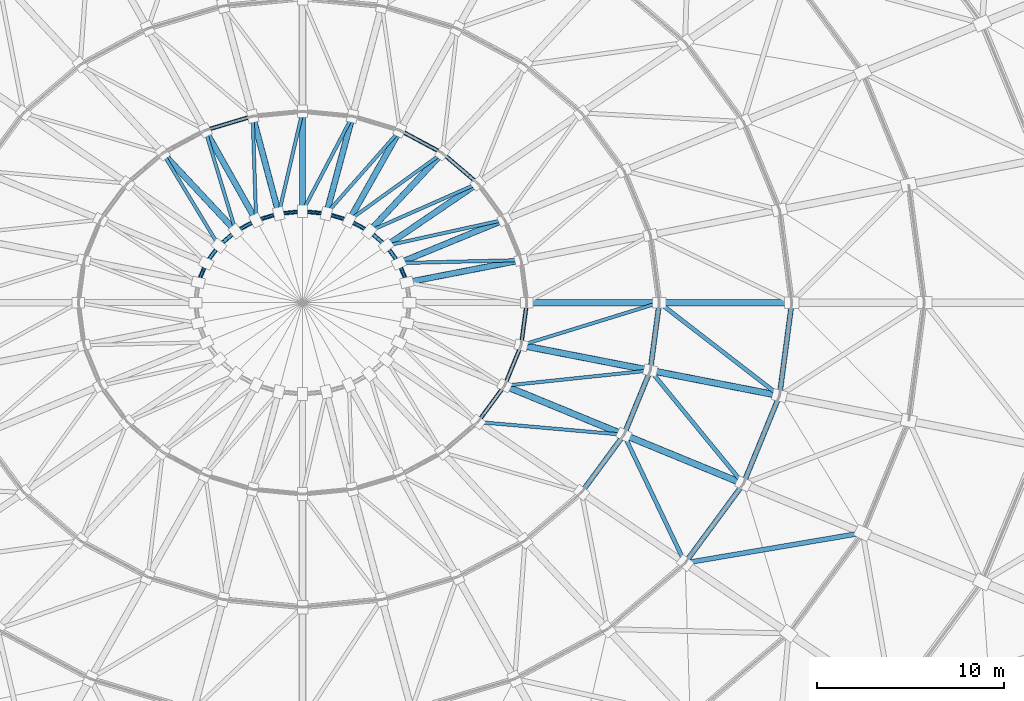
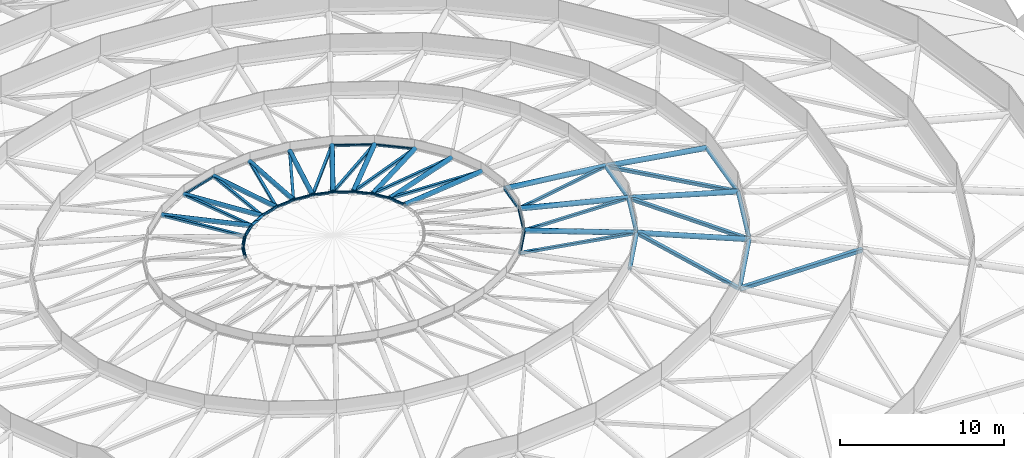
# One storey, part 11 of 27: 57 members.
"""IFC4 building model written with IfcOpenShell, lengths in metres."""

from ifc_helpers import new_model, si_unit, direction, frame, origin, origin_2d, place, context, subcontext, project, spatial, hollow_rectangle, hollow_circle, extrude, material, material_profile, profile_set, type_object, element, save


model = new_model("IFC4")

# Units and contexts
model_context = context("Model", 3, precision=1e-05, world=origin(), true_north=direction((0.0, 1.0)))
body_context = subcontext(model_context, "Body", "Model", "MODEL_VIEW")
ifc_project = project(units=[si_unit("LENGTHUNIT", "METRE"), si_unit("AREAUNIT", "SQUARE_METRE"), si_unit("VOLUMEUNIT", "CUBIC_METRE"), si_unit("PLANEANGLEUNIT", "RADIAN"), si_unit("MASSUNIT", "GRAM", prefix="KILO")], contexts=[model_context])

# Site, building, storey
site_placement = place(None, origin())
site = spatial("IfcSite", under=ifc_project, at=site_placement, CompositionType="ELEMENT")
building_placement = place(site_placement, origin())
building = spatial("IfcBuilding", under=site, at=building_placement, Name="Cuetzalor Civic Arena", CompositionType="ELEMENT")
storey_placement = place(building_placement, frame((0.0, 0.0, 31.800048828125)))
storey = spatial("IfcBuildingStorey", under=building, at=storey_placement, Name="Roof", CompositionType="ELEMENT", Elevation=31.800048828125)

# Members
ifc_material_1 = material(Name="Steel S355J2H", Category="steel")
ifc_material_profile_1 = material_profile(ifc_material_1, hollow_circle(Radius=0.136474609375, WallThickness=0.010009765625, at=origin_2d()), Name="CHS 273x10")
ifc_profile_set_1 = profile_set([ifc_material_profile_1], Name="Steel S355J2H")
member_type_1 = type_object("IfcMemberType", Name="DomeAnnularChord_CHS273", PredefinedType="CHORD", material=ifc_profile_set_1)
member_1_placement = place(storey_placement, frame((20.47265625, -13.9296875, 7.077392578125), z_axis=(0.592932877776, 0.805251887581, 0.0), x_axis=(-0.805251887581, 0.592932877776, 0.0)))
element("IfcMember", 1, at=member_1_placement, inside=storey, type_object=member_type_1, Name="Dome Roof Truss Annular Ring Chord R4-S26", PredefinedType="CHORD", context=body_context, shape_type="SweptSolid", body=[
    extrude(hollow_circle(Radius=0.136474609375, WallThickness=0.010009765625, at=origin_2d()), origin(), (0.0, 0.0, 1.0), 5.25732421875),
])
member_2_placement = place(storey_placement, frame((23.591796875, -9.69287109375, 7.077392578125), z_axis=(0.379357788908, 0.925250057009, 0.0), x_axis=(-0.925250057009, 0.379357788908, 0.0)))
element("IfcMember", 2, at=member_2_placement, inside=storey, type_object=member_type_1, Name="Dome Roof Truss Annular Ring Chord R4-S27", PredefinedType="CHORD", context=body_context, shape_type="SweptSolid", body=[
    extrude(hollow_circle(Radius=0.136474609375, WallThickness=0.010009765625, at=origin_2d()), origin(), (0.0, 0.0, 1.0), 5.100341796875),
])
member_3_placement = place(storey_placement, frame((25.52783203125, -4.969970703125, 7.077392578125), z_axis=(0.130861572844, 0.991400649966, 0.0), x_axis=(-0.991400649966, 0.130861572844, 0.0)))
element("IfcMember", 3, at=member_3_placement, inside=storey, type_object=member_type_1, Name="Dome Roof Truss Annular Ring Chord R4-S28", PredefinedType="CHORD", context=body_context, shape_type="SweptSolid", body=[
    extrude(hollow_circle(Radius=0.136474609375, WallThickness=0.010009765625, at=origin_2d()), origin(), (0.0, 0.0, 1.0), 5.01123046875),
])
member_4_placement = place(storey_placement, frame((14.92822265625, -10.156494140625, 8.21044921875), z_axis=(0.592953433432, 0.805236751385, 0.0), x_axis=(-0.805236751385, 0.592953433432, 0.0)))
element("IfcMember", 4, at=member_4_placement, inside=storey, type_object=member_type_1, Name="Dome Roof Truss Annular Ring Chord R5-S26", PredefinedType="CHORD", context=body_context, shape_type="SweptSolid", body=[
    extrude(hollow_circle(Radius=0.136474609375, WallThickness=0.010009765625, at=origin_2d()), origin(), (0.0, 0.0, 1.0), 3.83203125),
])
member_5_placement = place(storey_placement, frame((17.202392578125, -7.067138671875, 8.21044921875), z_axis=(0.379415117479, 0.925226549894, 0.0), x_axis=(-0.925226549894, 0.379415117479, 0.0)))
element("IfcMember", 5, at=member_5_placement, inside=storey, type_object=member_type_1, Name="Dome Roof Truss Annular Ring Chord R5-S27", PredefinedType="CHORD", context=body_context, shape_type="SweptSolid", body=[
    extrude(hollow_circle(Radius=0.136474609375, WallThickness=0.010009765625, at=origin_2d()), origin(), (0.0, 0.0, 1.0), 3.718017578125),
])
member_6_placement = place(storey_placement, frame((18.614013671875, -3.623291015625, 8.21044921875), z_axis=(0.130933411445, 0.991391164862, 0.0), x_axis=(-0.991391164862, 0.130933411445, 0.0)))
element("IfcMember", 6, at=member_6_placement, inside=storey, type_object=member_type_1, Name="Dome Roof Truss Annular Ring Chord R5-S28", PredefinedType="CHORD", context=body_context, shape_type="SweptSolid", body=[
    extrude(hollow_circle(Radius=0.136474609375, WallThickness=0.010009765625, at=origin_2d()), origin(), (0.0, 0.0, 1.0), 3.65283203125),
])
ifc_material_2 = material(Name="Steel S355J2H", Category="steel")
ifc_material_profile_2 = material_profile(ifc_material_2, hollow_circle(Radius=0.161865234375, WallThickness=0.012451171875, at=origin_2d()), Name="CHS 323.9x12.5")
ifc_profile_set_2 = profile_set([ifc_material_profile_2], Name="Steel S355J2H")
member_type_2 = type_object("IfcMemberType", Name="DomeAnnularChord_CHS323", PredefinedType="CHORD", material=ifc_profile_set_2)
member_7_placement = place(storey_placement, frame((11.697998046875, 2.2783203125, 9.02099609375), z_axis=(-0.979742221128, -0.190829394832, 0.060739790972), x_axis=(0.191182387422, -0.981554529682, 0.0)))
element("IfcMember", 7, at=member_7_placement, inside=storey, type_object=member_type_2, Name="Dome Roof Truss Radial Chord R7-S02", PredefinedType="CHORD", context=body_context, shape_type="SweptSolid", body=[
    extrude(hollow_circle(Radius=0.161865234375, WallThickness=0.012451171875, at=origin_2d()), origin(), (0.0, 0.0, 1.0), 6.23828125),
])
member_8_placement = place(storey_placement, frame((10.810791015625, 4.442626953125, 9.02099609375), z_axis=(-0.923178215261, -0.379350591826, 0.061928275851), x_axis=(0.380080116735, -0.924953569031, 0.0)))
element("IfcMember", 8, at=member_8_placement, inside=storey, type_object=member_type_2, Name="Dome Roof Truss Radial Chord R7-S03", PredefinedType="CHORD", context=body_context, shape_type="SweptSolid", body=[
    extrude(hollow_circle(Radius=0.161865234375, WallThickness=0.012451171875, at=origin_2d()), origin(), (0.0, 0.0, 1.0), 6.118408203125),
])
member_9_placement = place(storey_placement, frame((9.381103515625, 6.384033203125, 9.02099609375), z_axis=(-0.825045545792, -0.561455083015, 0.063781165923), x_axis=(0.562600589235, -0.826728841273, 0.0)))
element("IfcMember", 9, at=member_9_placement, inside=storey, type_object=member_type_2, Name="Dome Roof Truss Radial Chord R7-S04", PredefinedType="CHORD", context=body_context, shape_type="SweptSolid", body=[
    extrude(hollow_circle(Radius=0.161865234375, WallThickness=0.012451171875, at=origin_2d()), origin(), (0.0, 0.0, 1.0), 5.940673828125),
])
member_10_placement = place(storey_placement, frame((7.481201171875, 8.005126953125, 9.02099609375), z_axis=(-0.681328597073, -0.728991809361, 0.06604759417), x_axis=(0.730587065389, -0.682819551482, 0.0)))
element("IfcMember", 10, at=member_10_placement, inside=storey, type_object=member_type_2, Name="Dome Roof Truss Radial Chord R7-S05", PredefinedType="CHORD", context=body_context, shape_type="SweptSolid", body=[
    extrude(hollow_circle(Radius=0.161865234375, WallThickness=0.012451171875, at=origin_2d()), origin(), (0.0, 0.0, 1.0), 5.73681640625),
])
member_11_placement = place(storey_placement, frame((5.2060546875, 9.22509765625, 9.02099609375), z_axis=(-0.490342266255, -0.868848997231, 0.068307261218), x_axis=(0.870883091558, -0.49149022456, 0.0)))
element("IfcMember", 11, at=member_11_placement, inside=storey, type_object=member_type_2, Name="Dome Roof Truss Radial Chord R7-S06", PredefinedType="CHORD", context=body_context, shape_type="SweptSolid", body=[
    extrude(hollow_circle(Radius=0.161865234375, WallThickness=0.012451171875, at=origin_2d()), origin(), (0.0, 0.0, 1.0), 5.547119140625),
])
member_12_placement = place(storey_placement, frame((2.669921875, 9.982421875, 9.02099609375), z_axis=(-0.257765929153, -0.963667444623, 0.070012726994), x_axis=(0.966038007015, -0.258400017418, 0.0)))
element("IfcMember", 12, at=member_12_placement, inside=storey, type_object=member_type_2, Name="Dome Roof Truss Radial Chord R7-S07", PredefinedType="CHORD", context=body_context, shape_type="SweptSolid", body=[
    extrude(hollow_circle(Radius=0.161865234375, WallThickness=0.012451171875, at=origin_2d()), origin(), (0.0, 0.0, 1.0), 5.411865234375),
])
member_13_placement = place(storey_placement, frame((0.0, 10.239013671875, 9.02099609375), z_axis=(0.0, -0.997500813947, 0.070654979839), x_axis=(1.0, 0.0, 0.0)))
element("IfcMember", 13, at=member_13_placement, inside=storey, type_object=member_type_2, Name="Dome Roof Truss Radial Chord R7-S08", PredefinedType="CHORD", context=body_context, shape_type="SweptSolid", body=[
    extrude(hollow_circle(Radius=0.161865234375, WallThickness=0.012451171875, at=origin_2d()), origin(), (0.0, 0.0, 1.0), 5.36279296875),
])
member_14_placement = place(storey_placement, frame((-2.669921875, 9.982421875, 9.02099609375), z_axis=(0.257765929153, -0.963667444623, 0.070012726994), x_axis=(0.966038007015, 0.258400017418, 0.0)))
element("IfcMember", 14, at=member_14_placement, inside=storey, type_object=member_type_2, Name="Dome Roof Truss Radial Chord R7-S09", PredefinedType="CHORD", context=body_context, shape_type="SweptSolid", body=[
    extrude(hollow_circle(Radius=0.161865234375, WallThickness=0.012451171875, at=origin_2d()), origin(), (0.0, 0.0, 1.0), 5.411865234375),
])
member_15_placement = place(storey_placement, frame((-5.2060546875, 9.22509765625, 9.02099609375), z_axis=(0.490342266255, -0.868848997231, 0.068307261218), x_axis=(0.870883091558, 0.49149022456, 0.0)))
element("IfcMember", 15, at=member_15_placement, inside=storey, type_object=member_type_2, Name="Dome Roof Truss Radial Chord R7-S10", PredefinedType="CHORD", context=body_context, shape_type="SweptSolid", body=[
    extrude(hollow_circle(Radius=0.161865234375, WallThickness=0.012451171875, at=origin_2d()), origin(), (0.0, 0.0, 1.0), 5.547119140625),
])
member_16_placement = place(storey_placement, frame((-7.481201171875, 8.005126953125, 9.02099609375), z_axis=(0.681328597073, -0.728991809361, 0.06604759417), x_axis=(0.730587065389, 0.682819551482, 0.0)))
element("IfcMember", 16, at=member_16_placement, inside=storey, type_object=member_type_2, Name="Dome Roof Truss Radial Chord R7-S11", PredefinedType="CHORD", context=body_context, shape_type="SweptSolid", body=[
    extrude(hollow_circle(Radius=0.161865234375, WallThickness=0.012451171875, at=origin_2d()), origin(), (0.0, 0.0, 1.0), 5.73681640625),
])
ifc_material_3 = material(Name="Steel S355J2H", Category="steel")
ifc_material_profile_3 = material_profile(ifc_material_3, hollow_rectangle(XDim=0.179931640625, YDim=0.179931640625, WallThickness=0.010009765625, at=origin_2d()), Name="RHS 180x180x10")
ifc_profile_set_3 = profile_set([ifc_material_profile_3], Name="Steel S355J2H")
member_type_3 = type_object("IfcMemberType", Name="DomeLamellaStrut_RHS180", PredefinedType="STRUT", material=ifc_profile_set_3)
member_17_placement = place(storey_placement, frame((19.090576171875, -0.00048828125, 8.21044921875), z_axis=(-0.950414037765, -0.293000362554, 0.104230246872), x_axis=(0.294605018948, -0.955619109693, 0.0)))
element("IfcMember", 17, at=member_17_placement, inside=storey, type_object=member_type_3, Name="Dome Roof Truss Lamella Strut R6-S01", PredefinedType="STRUT", context=body_context, shape_type="SweptSolid", body=[
    extrude(hollow_rectangle(XDim=0.179931640625, YDim=0.179931640625, WallThickness=0.010009765625, at=origin_2d()), origin(), (0.0, 0.0, 1.0), 7.774169921875),
])
member_18_placement = place(storey_placement, frame((17.19970703125, -7.06884765625, 8.21044921875), z_axis=(-0.990926571033, 0.086648031, 0.102745557303), x_axis=(-0.087109040715, -0.996198782887, 0.0)))
element("IfcMember", 18, at=member_18_placement, inside=storey, type_object=member_type_3, Name="Dome Roof Truss Lamella Strut R6-S27", PredefinedType="STRUT", context=body_context, shape_type="SweptSolid", body=[
    extrude(hollow_rectangle(XDim=0.179931640625, YDim=0.179931640625, WallThickness=0.010009765625, at=origin_2d()), origin(), (0.0, 0.0, 1.0), 7.886474609375),
])
member_19_placement = place(storey_placement, frame((18.61181640625, -3.62548828125, 8.21044921875), z_axis=(-0.989277515007, -0.103735061612, 0.102805813523), x_axis=(0.104287635383, -0.994547177919, 0.0)))
element("IfcMember", 19, at=member_19_placement, inside=storey, type_object=member_type_3, Name="Dome Roof Truss Lamella Strut R6-S28", PredefinedType="STRUT", context=body_context, shape_type="SweptSolid", body=[
    extrude(hollow_rectangle(XDim=0.179931640625, YDim=0.179931640625, WallThickness=0.010009765625, at=origin_2d()), origin(), (0.0, 0.0, 1.0), 7.8818359375),
])
member_20_placement = place(storey_placement, frame((11.697998046875, 2.27880859375, 9.02099609375), z_axis=(-0.998032136131, -0.024159468946, 0.057863419451), x_axis=(0.024200015862, -0.999707136732, 0.0)))
element("IfcMember", 20, at=member_20_placement, inside=storey, type_object=member_type_3, Name="Dome Roof Truss Lamella Strut R7-S02", PredefinedType="STRUT", context=body_context, shape_type="SweptSolid", body=[
    extrude(hollow_rectangle(XDim=0.179931640625, YDim=0.179931640625, WallThickness=0.010009765625, at=origin_2d()), origin(), (0.0, 0.0, 1.0), 6.54833984375),
])
member_21_placement = place(storey_placement, frame((10.810546875, 4.443115234375, 9.02099609375), z_axis=(-0.974898266146, -0.214868630583, 0.058351026188), x_axis=(0.215235364249, -0.976562203844, 0.0)))
element("IfcMember", 21, at=member_21_placement, inside=storey, type_object=member_type_3, Name="Dome Roof Truss Lamella Strut R7-S03", PredefinedType="STRUT", context=body_context, shape_type="SweptSolid", body=[
    extrude(hollow_rectangle(XDim=0.179931640625, YDim=0.179931640625, WallThickness=0.010009765625, at=origin_2d()), origin(), (0.0, 0.0, 1.0), 6.49365234375),
])
member_22_placement = place(storey_placement, frame((9.381103515625, 6.384521484375, 9.02099609375), z_axis=(-0.913300741229, -0.402904215183, 0.059581452307), x_axis=(0.403621269679, -0.914926155852, 0.0)))
element("IfcMember", 22, at=member_22_placement, inside=storey, type_object=member_type_3, Name="Dome Roof Truss Lamella Strut R7-S04", PredefinedType="STRUT", context=body_context, shape_type="SweptSolid", body=[
    extrude(hollow_rectangle(XDim=0.179931640625, YDim=0.179931640625, WallThickness=0.010009765625, at=origin_2d()), origin(), (0.0, 0.0, 1.0), 6.359375),
])
member_23_placement = place(storey_placement, frame((7.48095703125, 8.005615234375, 9.02099609375), z_axis=(-0.809613608428, -0.583740277215, 0.061425514288), x_axis=(0.584844656807, -0.811145318303, 0.0)))
element("IfcMember", 23, at=member_23_placement, inside=storey, type_object=member_type_3, Name="Dome Roof Truss Lamella Strut R7-S05", PredefinedType="STRUT", context=body_context, shape_type="SweptSolid", body=[
    extrude(hollow_rectangle(XDim=0.179931640625, YDim=0.179931640625, WallThickness=0.010009765625, at=origin_2d()), origin(), (0.0, 0.0, 1.0), 6.16845703125),
])
member_24_placement = place(storey_placement, frame((5.205810546875, 9.225341796875, 9.02099609375), z_axis=(-0.659879789367, -0.748672708778, 0.06362262739), x_axis=(0.750192577664, -0.66121940112, 0.0)))
element("IfcMember", 24, at=member_24_placement, inside=storey, type_object=member_type_3, Name="Dome Roof Truss Lamella Strut R7-S06", PredefinedType="STRUT", context=body_context, shape_type="SweptSolid", body=[
    extrude(hollow_rectangle(XDim=0.179931640625, YDim=0.179931640625, WallThickness=0.010009765625, at=origin_2d()), origin(), (0.0, 0.0, 1.0), 5.95556640625),
])
member_25_placement = place(storey_placement, frame((2.669677734375, 9.982421875, 9.02099609375), z_axis=(-0.463129413067, -0.883848018112, 0.065755818231), x_axis=(0.885765040253, -0.464133917598, 0.0)))
element("IfcMember", 25, at=member_25_placement, inside=storey, type_object=member_type_3, Name="Dome Roof Truss Lamella Strut R7-S07", PredefinedType="STRUT", context=body_context, shape_type="SweptSolid", body=[
    extrude(hollow_rectangle(XDim=0.179931640625, YDim=0.179931640625, WallThickness=0.010009765625, at=origin_2d()), origin(), (0.0, 0.0, 1.0), 5.76220703125),
])
member_26_placement = place(storey_placement, frame((-0.00048828125, 10.239013671875, 9.02099609375), z_axis=(-0.226151222342, -0.971765212105, 0.067290394378), x_axis=(0.973972786928, -0.226664973748, 0.0)))
element("IfcMember", 26, at=member_26_placement, inside=storey, type_object=member_type_3, Name="Dome Roof Truss Lamella Strut R7-S08", PredefinedType="STRUT", context=body_context, shape_type="SweptSolid", body=[
    extrude(hollow_rectangle(XDim=0.179931640625, YDim=0.179931640625, WallThickness=0.010009765625, at=origin_2d()), origin(), (0.0, 0.0, 1.0), 5.630859375),
])
member_27_placement = place(storey_placement, frame((-2.67041015625, 9.982177734375, 9.02099609375), z_axis=(0.033091460055, -0.997153085912, 0.067754546182), x_axis=(0.999449801185, 0.033167678705, 0.0)))
element("IfcMember", 27, at=member_27_placement, inside=storey, type_object=member_type_3, Name="Dome Roof Truss Lamella Strut R7-S09", PredefinedType="STRUT", context=body_context, shape_type="SweptSolid", body=[
    extrude(hollow_rectangle(XDim=0.179931640625, YDim=0.179931640625, WallThickness=0.010009765625, at=origin_2d()), origin(), (0.0, 0.0, 1.0), 5.59228515625),
])
member_28_placement = place(storey_placement, frame((-5.206298828125, 9.224853515625, 9.02099609375), z_axis=(0.288978561756, -0.954988899008, 0.066989503786), x_axis=(0.957138939144, 0.289629161472, 0.0)))
element("IfcMember", 28, at=member_28_placement, inside=storey, type_object=member_type_3, Name="Dome Roof Truss Lamella Strut R7-S10", PredefinedType="STRUT", context=body_context, shape_type="SweptSolid", body=[
    extrude(hollow_rectangle(XDim=0.179931640625, YDim=0.179931640625, WallThickness=0.010009765625, at=origin_2d()), origin(), (0.0, 0.0, 1.0), 5.65625),
])
member_29_placement = place(storey_placement, frame((-7.4814453125, 8.0048828125, 9.02099609375), z_axis=(0.517079597539, -0.853446224658, 0.065255125661), x_axis=(0.855269134274, 0.518184048345, 0.0)))
element("IfcMember", 29, at=member_29_placement, inside=storey, type_object=member_type_3, Name="Dome Roof Truss Lamella Strut R7-S11", PredefinedType="STRUT", context=body_context, shape_type="SweptSolid", body=[
    extrude(hollow_rectangle(XDim=0.179931640625, YDim=0.179931640625, WallThickness=0.010009765625, at=origin_2d()), origin(), (0.0, 0.0, 1.0), 5.806640625),
])
ifc_material_4 = material(Name="Steel S355J2H", Category="steel")
ifc_material_profile_4 = material_profile(ifc_material_4, hollow_rectangle(XDim=0.219970703125, YDim=0.219970703125, WallThickness=0.010009765625, at=origin_2d()), Name="RHS 220x220x10")
ifc_profile_set_4 = profile_set([ifc_material_profile_4], Name="Steel S355J2H")
member_type_4 = type_object("IfcMemberType", Name="DomeLamellaStrut_RHS220", PredefinedType="STRUT", material=ifc_profile_set_4)
member_30_placement = place(storey_placement, frame((20.470703125, -13.929443359375, 7.07763671875), z_axis=(-0.425453768742, 0.892893524972, 0.147411816781), x_axis=(-0.902755950894, -0.430153104285, 0.0)))
element("IfcMember", 30, at=member_30_placement, inside=storey, type_object=member_type_4, Name="Dome Roof Truss Lamella Strut R5-S26", PredefinedType="STRUT", context=body_context, shape_type="SweptSolid", body=[
    extrude(hollow_rectangle(XDim=0.219970703125, YDim=0.219970703125, WallThickness=0.010009765625, at=origin_2d()), origin(), (0.0, 0.0, 1.0), 7.681396484375),
])
member_31_placement = place(storey_placement, frame((23.589599609375, -9.693115234375, 7.07763671875), z_axis=(-0.627603077787, 0.765314766086, 0.142855470886), x_axis=(-0.773245512337, -0.63410675572, 0.0)))
element("IfcMember", 31, at=member_31_placement, inside=storey, type_object=member_type_4, Name="Dome Roof Truss Lamella Strut R5-S27", PredefinedType="STRUT", context=body_context, shape_type="SweptSolid", body=[
    extrude(hollow_rectangle(XDim=0.219970703125, YDim=0.219970703125, WallThickness=0.010009765625, at=origin_2d()), origin(), (0.0, 0.0, 1.0), 7.92626953125),
])
member_32_placement = place(storey_placement, frame((25.52587890625, -4.970703125, 7.07763671875), z_axis=(-0.783752518242, 0.60555257198, 0.137978522665), x_axis=(-0.611400482387, -0.791321331785, 0.0)))
element("IfcMember", 32, at=member_32_placement, inside=storey, type_object=member_type_4, Name="Dome Roof Truss Lamella Strut R5-S28", PredefinedType="STRUT", context=body_context, shape_type="SweptSolid", body=[
    extrude(hollow_rectangle(XDim=0.219970703125, YDim=0.219970703125, WallThickness=0.010009765625, at=origin_2d()), origin(), (0.0, 0.0, 1.0), 8.20654296875),
])
ifc_material_5 = material(Name="Steel S355J2H", Category="steel")
ifc_material_profile_5 = material_profile(ifc_material_5, hollow_rectangle(XDim=0.260009765625, YDim=0.260009765625, WallThickness=0.012451171875, at=origin_2d()), Name="RHS 260x260x12.5")
ifc_profile_set_5 = profile_set([ifc_material_profile_5], Name="Steel S355J2H")
member_type_5 = type_object("IfcMemberType", Name="DomeLamellaStrut_RHS260", PredefinedType="STRUT", material=ifc_profile_set_5)
member_33_placement = place(storey_placement, frame((29.978271484375, -12.320556640625, 5.666748046875), z_axis=(-0.975564238844, -0.16528361552, 0.144760983453), x_axis=(0.167043138842, -0.985949587842, 0.0)))
element("IfcMember", 33, at=member_33_placement, inside=storey, type_object=member_type_5, Name="Dome Roof Truss Lamella Strut R4-S27", PredefinedType="STRUT", context=body_context, shape_type="SweptSolid", body=[
    extrude(hollow_rectangle(XDim=0.260009765625, YDim=0.260009765625, WallThickness=0.012451171875, at=origin_2d()), origin(), (0.0, 0.0, 1.0), 9.742919921875),
])
ifc_material_6 = material(Name="Steel S355J2H", Category="steel")
ifc_material_profile_6 = material_profile(ifc_material_6, hollow_circle(Radius=0.109619140625, WallThickness=0.010009765625, at=origin_2d()), Name="CHS 219.1x10")
ifc_profile_set_6 = profile_set([ifc_material_profile_6], Name="Steel S355J2H")
member_type_6 = type_object("IfcMemberType", Name="DomeLanternRing_CHS219", PredefinedType="CHORD", material=ifc_profile_set_6)
member_34_placement = place(storey_placement, frame((9.38134765625, 6.386474609375, 9.020751953125), z_axis=(-0.760740130063, 0.649056588066, 0.0), x_axis=(-0.649056588066, -0.760740130063, 0.0)))
element("IfcMember", 34, at=member_34_placement, inside=storey, type_object=member_type_6, Name="Dome Roof Truss Annular Ring Chord R6-S04", PredefinedType="CHORD", context=body_context, shape_type="SweptSolid", body=[
    extrude(hollow_circle(Radius=0.109619140625, WallThickness=0.010009765625, at=origin_2d()), origin(), (0.0, 0.0, 1.0), 2.494140625),
])
member_35_placement = place(storey_placement, frame((7.480712890625, 8.007568359375, 9.020751953125), z_axis=(-0.881296882104, 0.472563017591, 0.0), x_axis=(-0.472563017591, -0.881296882104, 0.0)))
element("IfcMember", 35, at=member_35_placement, inside=storey, type_object=member_type_6, Name="Dome Roof Truss Annular Ring Chord R6-S05", PredefinedType="CHORD", context=body_context, shape_type="SweptSolid", body=[
    extrude(hollow_circle(Radius=0.109619140625, WallThickness=0.010009765625, at=origin_2d()), origin(), (0.0, 0.0, 1.0), 2.577880859375),
])
member_36_placement = place(storey_placement, frame((-2.67236328125, 9.983642578125, 9.020751953125), z_axis=(-0.958186512541, -0.286144381709, 0.0), x_axis=(0.286144381709, -0.958186512541, 0.0)))
element("IfcMember", 36, at=member_36_placement, inside=storey, type_object=member_type_6, Name="Dome Roof Truss Annular Ring Chord R6-S09", PredefinedType="CHORD", context=body_context, shape_type="SweptSolid", body=[
    extrude(hollow_circle(Radius=0.109619140625, WallThickness=0.010009765625, at=origin_2d()), origin(), (0.0, 0.0, 1.0), 2.643310546875),
])
member_37_placement = place(storey_placement, frame((9.384033203125, -6.383544921875, 9.020751953125), z_axis=(0.592901474518, 0.805275009866, 0.0), x_axis=(-0.805275009866, 0.592901474518, 0.0)))
element("IfcMember", 37, at=member_37_placement, inside=storey, type_object=member_type_6, Name="Dome Roof Truss Annular Ring Chord R6-S26", PredefinedType="CHORD", context=body_context, shape_type="SweptSolid", body=[
    extrude(hollow_circle(Radius=0.109619140625, WallThickness=0.010009765625, at=origin_2d()), origin(), (0.0, 0.0, 1.0), 2.4072265625),
])
member_38_placement = place(storey_placement, frame((10.813232421875, -4.44140625, 9.020751953125), z_axis=(0.379398031212, 0.925233556413, 0.0), x_axis=(-0.925233556413, 0.379398031212, 0.0)))
element("IfcMember", 38, at=member_38_placement, inside=storey, type_object=member_type_6, Name="Dome Roof Truss Annular Ring Chord R6-S27", PredefinedType="CHORD", context=body_context, shape_type="SweptSolid", body=[
    extrude(hollow_circle(Radius=0.109619140625, WallThickness=0.010009765625, at=origin_2d()), origin(), (0.0, 0.0, 1.0), 2.335205078125),
])
member_39_placement = place(storey_placement, frame((11.700439453125, -2.27685546875, 9.020751953125), z_axis=(0.130867338838, 0.991399888857, 0.0), x_axis=(-0.991399888857, 0.130867338838, 0.0)))
element("IfcMember", 39, at=member_39_placement, inside=storey, type_object=member_type_6, Name="Dome Roof Truss Annular Ring Chord R6-S28", PredefinedType="CHORD", context=body_context, shape_type="SweptSolid", body=[
    extrude(hollow_circle(Radius=0.109619140625, WallThickness=0.010009765625, at=origin_2d()), origin(), (0.0, 0.0, 1.0), 2.294677734375),
])
member_40_placement = place(storey_placement, frame((5.583251953125, 1.089599609375, 9.39990234375), z_axis=(-0.379248061266, 0.925295038367, 0.0), x_axis=(-0.925295038367, -0.379248061266, 0.0)))
element("IfcMember", 40, at=member_40_placement, inside=storey, type_object=member_type_6, Name="Dome Roof Truss Annular Ring Chord R7-S02", PredefinedType="CHORD", context=body_context, shape_type="SweptSolid", body=[
    extrude(hollow_circle(Radius=0.109619140625, WallThickness=0.010009765625, at=origin_2d()), origin(), (0.0, 0.0, 1.0), 1.1123046875),
])
member_41_placement = place(storey_placement, frame((5.1591796875, 2.122314453125, 9.39990234375), z_axis=(-0.592857696346, 0.805307240675, 0.0), x_axis=(-0.805307240675, -0.592857696346, 0.0)))
element("IfcMember", 41, at=member_41_placement, inside=storey, type_object=member_type_6, Name="Dome Roof Truss Annular Ring Chord R7-S03", PredefinedType="CHORD", context=body_context, shape_type="SweptSolid", body=[
    extrude(hollow_circle(Radius=0.109619140625, WallThickness=0.010009765625, at=origin_2d()), origin(), (0.0, 0.0, 1.0), 1.14697265625),
])
member_42_placement = place(storey_placement, frame((4.4765625, 3.048828125, 9.39990234375), z_axis=(-0.760690703799, 0.649114514668, 0.0), x_axis=(-0.649114514668, -0.760690703799, 0.0)))
element("IfcMember", 42, at=member_42_placement, inside=storey, type_object=member_type_6, Name="Dome Roof Truss Annular Ring Chord R7-S04", PredefinedType="CHORD", context=body_context, shape_type="SweptSolid", body=[
    extrude(hollow_circle(Radius=0.109619140625, WallThickness=0.010009765625, at=origin_2d()), origin(), (0.0, 0.0, 1.0), 1.188232421875),
])
member_43_placement = place(storey_placement, frame((3.5693359375, 3.822265625, 9.39990234375), z_axis=(-0.881216821558, 0.472712294533, 0.0), x_axis=(-0.472712294533, -0.881216821558, 0.0)))
element("IfcMember", 43, at=member_43_placement, inside=storey, type_object=member_type_6, Name="Dome Roof Truss Annular Ring Chord R7-S05", PredefinedType="CHORD", context=body_context, shape_type="SweptSolid", body=[
    extrude(hollow_circle(Radius=0.109619140625, WallThickness=0.010009765625, at=origin_2d()), origin(), (0.0, 0.0, 1.0), 1.228271484375),
])
member_44_placement = place(storey_placement, frame((2.4833984375, 4.404296875, 9.39990234375), z_axis=(-0.958209498651, 0.286067398869, 0.0), x_axis=(-0.286067398869, -0.958209498651, 0.0)))
element("IfcMember", 44, at=member_44_placement, inside=storey, type_object=member_type_6, Name="Dome Roof Truss Annular Ring Chord R7-S06", PredefinedType="CHORD", context=body_context, shape_type="SweptSolid", body=[
    extrude(hollow_circle(Radius=0.109619140625, WallThickness=0.010009765625, at=origin_2d()), origin(), (0.0, 0.0, 1.0), 1.259765625),
])
for number, where, z_axis, x_axis, name in (
    (45, (1.2724609375, 4.765380859375, 9.39990234375), (-0.995416035556, 0.095639511487, 0.0), (-0.095639511487, -0.995416035556, 0.0), "Dome Roof Truss Annular Ring Chord R7-S07"),
    (46, (-0.001953125, 4.887451171875, 9.39990234375), (-0.995416035556, -0.095639511487, 0.0), (0.095639511487, -0.995416035556, 0.0), "Dome Roof Truss Annular Ring Chord R7-S08"),
):
    element("IfcMember", number, at=place(storey_placement, frame(where, z_axis=z_axis, x_axis=x_axis)), inside=storey, type_object=member_type_6, Name=name, PredefinedType="CHORD", context=body_context, shape_type="SweptSolid", body=[
        extrude(hollow_circle(Radius=0.109619140625, WallThickness=0.010009765625, at=origin_2d()), origin(), (0.0, 0.0, 1.0), 1.2763671875),
    ])
member_45_placement = place(storey_placement, frame((-1.2763671875, 4.7646484375, 9.39990234375), z_axis=(-0.958209498651, -0.286067398869, 0.0), x_axis=(0.286067398869, -0.958209498651, 0.0)))
element("IfcMember", 47, at=member_45_placement, inside=storey, type_object=member_type_6, Name="Dome Roof Truss Annular Ring Chord R7-S09", PredefinedType="CHORD", context=body_context, shape_type="SweptSolid", body=[
    extrude(hollow_circle(Radius=0.109619140625, WallThickness=0.010009765625, at=origin_2d()), origin(), (0.0, 0.0, 1.0), 1.259765625),
])
member_46_placement = place(storey_placement, frame((-2.487060546875, 4.40283203125, 9.39990234375), z_axis=(-0.881216821558, -0.472712294533, 0.0), x_axis=(0.472712294533, -0.881216821558, 0.0)))
element("IfcMember", 48, at=member_46_placement, inside=storey, type_object=member_type_6, Name="Dome Roof Truss Annular Ring Chord R7-S10", PredefinedType="CHORD", context=body_context, shape_type="SweptSolid", body=[
    extrude(hollow_circle(Radius=0.109619140625, WallThickness=0.010009765625, at=origin_2d()), origin(), (0.0, 0.0, 1.0), 1.228271484375),
])
member_47_placement = place(storey_placement, frame((-3.57275390625, 3.820068359375, 9.39990234375), z_axis=(-0.760690703799, -0.649114514668, 0.0), x_axis=(0.649114514668, -0.760690703799, 0.0)))
element("IfcMember", 49, at=member_47_placement, inside=storey, type_object=member_type_6, Name="Dome Roof Truss Annular Ring Chord R7-S11", PredefinedType="CHORD", context=body_context, shape_type="SweptSolid", body=[
    extrude(hollow_circle(Radius=0.109619140625, WallThickness=0.010009765625, at=origin_2d()), origin(), (0.0, 0.0, 1.0), 1.188232421875),
])
member_48_placement = place(storey_placement, frame((-4.479248046875, 3.0458984375, 9.39990234375), z_axis=(-0.592857696346, -0.805307240675, 0.0), x_axis=(0.805307240675, -0.592857696346, 0.0)))
element("IfcMember", 50, at=member_48_placement, inside=storey, type_object=member_type_6, Name="Dome Roof Truss Annular Ring Chord R7-S12", PredefinedType="CHORD", context=body_context, shape_type="SweptSolid", body=[
    extrude(hollow_circle(Radius=0.109619140625, WallThickness=0.010009765625, at=origin_2d()), origin(), (0.0, 0.0, 1.0), 1.14697265625),
])
member_49_placement = place(storey_placement, frame((-5.161376953125, 2.118896484375, 9.39990234375), z_axis=(-0.379248061266, -0.925295038367, 0.0), x_axis=(0.925295038367, -0.379248061266, 0.0)))
element("IfcMember", 51, at=member_49_placement, inside=storey, type_object=member_type_6, Name="Dome Roof Truss Annular Ring Chord R7-S13", PredefinedType="CHORD", context=body_context, shape_type="SweptSolid", body=[
    extrude(hollow_circle(Radius=0.109619140625, WallThickness=0.010009765625, at=origin_2d()), origin(), (0.0, 0.0, 1.0), 1.1123046875),
])
ifc_material_7 = material(Name="Steel S355J2H", Category="steel")
ifc_material_profile_7 = material_profile(ifc_material_7, hollow_circle(Radius=0.177734375, WallThickness=0.01416015625, at=origin_2d()), Name="CHS 355.6x14.2")
ifc_profile_set_7 = profile_set([ifc_material_profile_7], Name="Steel S355J2H")
member_type_7 = type_object("IfcMemberType", Name="DomeRadialChord_CHS355", PredefinedType="CHORD", material=ifc_profile_set_7)
member_50_placement = place(storey_placement, frame((26.181884765625, 0.0, 7.07763671875), z_axis=(-0.987476691492, 0.0, 0.157764963663), x_axis=(0.0, -1.0, 0.0)))
element("IfcMember", 52, at=member_50_placement, inside=storey, type_object=member_type_7, Name="Dome Roof Truss Radial Chord R5-S01", PredefinedType="CHORD", context=body_context, shape_type="SweptSolid", body=[
    extrude(hollow_circle(Radius=0.177734375, WallThickness=0.01416015625, at=origin_2d()), origin(), (0.0, 0.0, 1.0), 7.17724609375),
])
member_51_placement = place(storey_placement, frame((23.589111328125, -9.69384765625, 7.07763671875), z_axis=(-0.912752107468, 0.375081615411, 0.161856022727), x_axis=(-0.380093380884, -0.924948118442, 0.0)))
element("IfcMember", 53, at=member_51_placement, inside=storey, type_object=member_type_7, Name="Dome Roof Truss Radial Chord R5-S27", PredefinedType="CHORD", context=body_context, shape_type="SweptSolid", body=[
    extrude(hollow_circle(Radius=0.177734375, WallThickness=0.01416015625, at=origin_2d()), origin(), (0.0, 0.0, 1.0), 6.995849609375),
])
member_52_placement = place(storey_placement, frame((25.525634765625, -4.9716796875, 7.07763671875), z_axis=(-0.969096700352, 0.188765505743, 0.158805444519), x_axis=(-0.191191748916, -0.98155270625, 0.0)))
element("IfcMember", 54, at=member_52_placement, inside=storey, type_object=member_type_7, Name="Dome Roof Truss Radial Chord R5-S28", PredefinedType="CHORD", context=body_context, shape_type="SweptSolid", body=[
    extrude(hollow_circle(Radius=0.177734375, WallThickness=0.01416015625, at=origin_2d()), origin(), (0.0, 0.0, 1.0), 7.13037109375),
])
member_53_placement = place(storey_placement, frame((19.090576171875, 0.0, 8.21044921875), z_axis=(-0.993528149247, 0.0, 0.113586164009), x_axis=(0.0, -1.0, 0.0)))
element("IfcMember", 55, at=member_53_placement, inside=storey, type_object=member_type_7, Name="Dome Roof Truss Radial Chord R6-S01", PredefinedType="CHORD", context=body_context, shape_type="SweptSolid", body=[
    extrude(hollow_circle(Radius=0.177734375, WallThickness=0.01416015625, at=origin_2d()), origin(), (0.0, 0.0, 1.0), 7.1337890625),
])
member_54_placement = place(storey_placement, frame((17.199951171875, -7.068359375, 8.21044921875), z_axis=(-0.918635217618, 0.377519878964, 0.116567911274), x_axis=(-0.380111202168, -0.924940794855, 0.0)))
element("IfcMember", 56, at=member_54_placement, inside=storey, type_object=member_type_7, Name="Dome Roof Truss Radial Chord R6-S27", PredefinedType="CHORD", context=body_context, shape_type="SweptSolid", body=[
    extrude(hollow_circle(Radius=0.177734375, WallThickness=0.01416015625, at=origin_2d()), origin(), (0.0, 0.0, 1.0), 6.951416015625),
])
member_55_placement = place(storey_placement, frame((18.61181640625, -3.625, 8.21044921875), z_axis=(-0.975119096568, 0.189910835287, 0.114353059201), x_axis=(-0.191164843539, -0.981557946631, 0.0)))
element("IfcMember", 57, at=member_55_placement, inside=storey, type_object=member_type_7, Name="Dome Roof Truss Radial Chord R6-S28", PredefinedType="CHORD", context=body_context, shape_type="SweptSolid", body=[
    extrude(hollow_circle(Radius=0.177734375, WallThickness=0.01416015625, at=origin_2d()), origin(), (0.0, 0.0, 1.0), 7.0859375),
])

save(model, "model.ifc")
